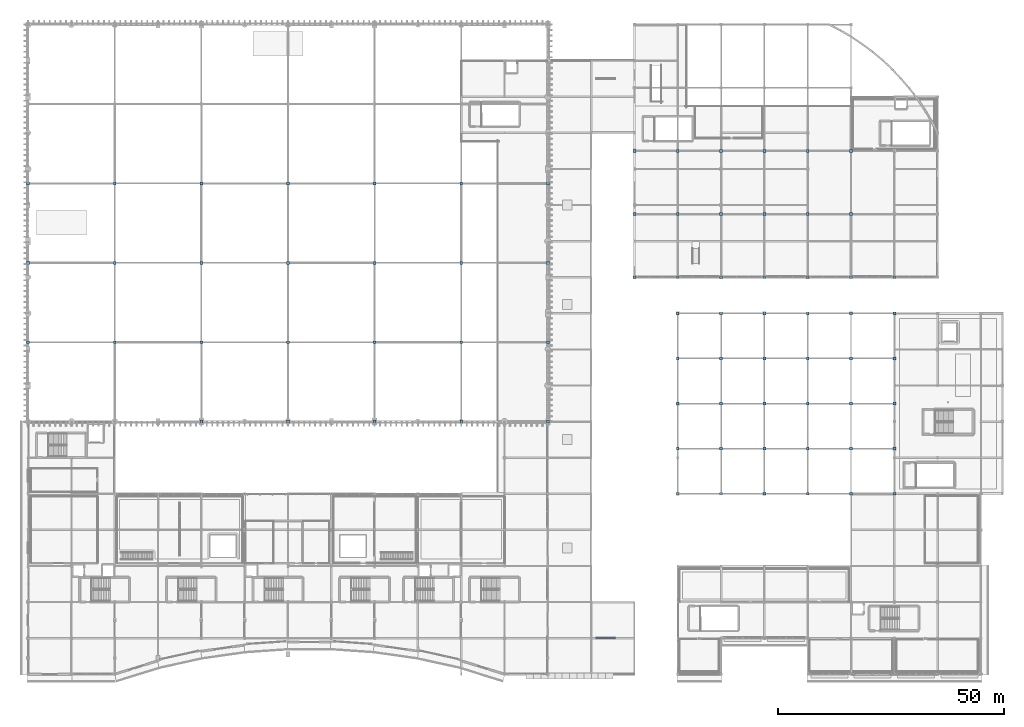
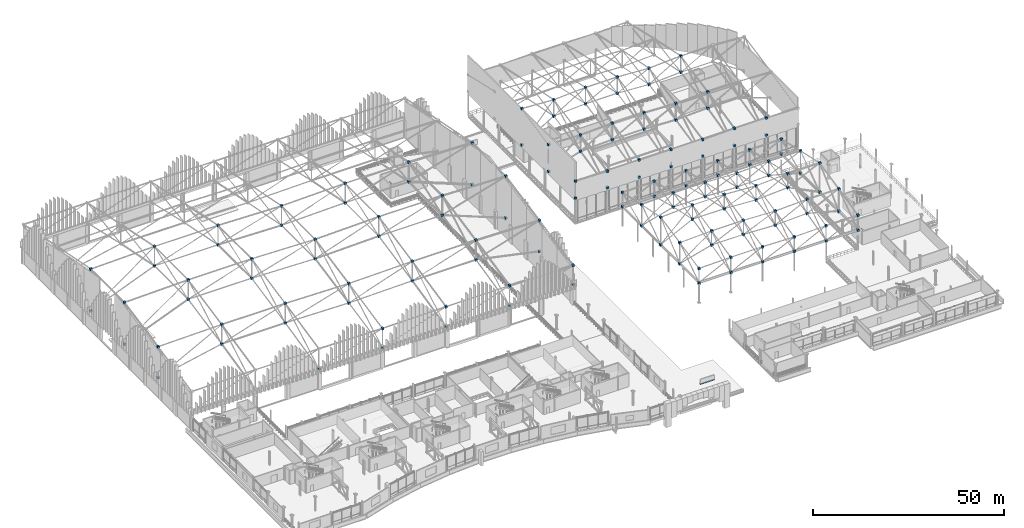
# One storey, part 162 of 193: 150 discrete accessories.
"""IFC4 building model written with IfcOpenShell, lengths in metres."""

from ifc_helpers import new_model, si_unit, direction, frame, origin, origin_2d, place, context, subcontext, project, spatial, rectangle, extrude, material, type_object, element, save


model = new_model("IFC4")

# Units and contexts
model_context = context("Model", 3, precision=1e-05, world=origin(), true_north=direction((0.0, 1.0)))
body_context = subcontext(model_context, "Body", "Model", "MODEL_VIEW")
ifc_project = project(units=[si_unit("LENGTHUNIT", "METRE"), si_unit("AREAUNIT", "SQUARE_METRE"), si_unit("VOLUMEUNIT", "CUBIC_METRE"), si_unit("PLANEANGLEUNIT", "RADIAN"), si_unit("MASSUNIT", "GRAM", prefix="KILO")], contexts=[model_context])

# Site, building, storey
site_placement = place(None, origin())
site = spatial("IfcSite", under=ifc_project, at=site_placement, CompositionType="ELEMENT")
building_placement = place(site_placement, origin())
building = spatial("IfcBuilding", under=site, at=building_placement, Name="Danafjord Basin Convention Centre", CompositionType="ELEMENT")
storey_placement = place(building_placement, frame((0.0, 0.0, 11.39990234375)))
storey = spatial("IfcBuildingStorey", under=building, at=storey_placement, Name="L02", CompositionType="ELEMENT", Elevation=11.39990234375)

# Discrete accessories
ifc_material_1 = material(Name="Stainless steel EN 1.4404", Category="steel")
discrete_accessory_type_1 = type_object("IfcDiscreteAccessoryType", Name="ACC-FIN-BRK", PredefinedType="BRACKET", material=ifc_material_1)
discrete_accessory_placement = place(storey_placement, frame((128.0, 8.0, -0.48974609375), z_axis=(0.0, 0.0, 1.0), x_axis=(1.0, 0.0, 0.0)))
element("IfcDiscreteAccessory", 1, at=discrete_accessory_placement, inside=storey, type_object=discrete_accessory_type_1, Name="Louvre base curb shoe", PredefinedType="BRACKET", context=body_context, shape_type="SweptSolid", body=[
    extrude(rectangle(XDim=4.199951171875, YDim=0.300048828125, at=origin_2d()), origin(), (0.0, 0.0, 1.0), 0.179931640625),
])
ifc_material_2 = material(Name="Steel S355", Category="steel")
discrete_accessory_type_2 = type_object("IfcDiscreteAccessoryType", Name="ACC-SF-HUB", PredefinedType="BRACKET", material=ifc_material_2)
for number, where, z_axis, x_axis, name in (
    (2, (0.0, 73.60009765625, 15.5908203125), (0.0, 0.0, 1.0), (1.0, 0.0, 0.0), "V1 space-frame upper node hub"),
    (3, (0.0, 73.60009765625, 5.72998046875), (0.0, 0.0, 1.0), (1.0, 0.0, 0.0), "V1 space-frame lower node hub"),
    (4, (0.0, 91.199951171875, 19.04052734375), (0.0, 0.0, 1.0), (1.0, 0.0, 0.0), "V1 space-frame upper node hub"),
    (5, (0.0, 91.199951171875, 5.72998046875), (0.0, 0.0, 1.0), (1.0, 0.0, 0.0), "V1 space-frame lower node hub"),
    (6, (0.0, 108.800048828125, 19.04052734375), (0.0, 0.0, 1.0), (1.0, 0.0, 0.0), "V1 space-frame upper node hub"),
    (7, (0.0, 108.800048828125, 5.72998046875), (0.0, 0.0, 1.0), (1.0, 0.0, 0.0), "V1 space-frame lower node hub"),
    (8, (19.199951171875, 73.60009765625, 15.951171875), (0.0, 0.0, 1.0), (1.0, 0.0, 0.0), "V1 space-frame upper node hub"),
    (9, (19.199951171875, 73.60009765625, 9.7509765625), (0.0, 0.0, 1.0), (1.0, 0.0, 0.0), "V1 space-frame lower node hub"),
    (10, (19.199951171875, 91.199951171875, 19.53564453125), (0.0, 0.0, 1.0), (1.0, 0.0, 0.0), "V1 space-frame upper node hub"),
    (11, (19.199951171875, 91.199951171875, 13.33544921875), (0.0, 0.0, 1.0), (1.0, 0.0, 0.0), "V1 space-frame lower node hub"),
    (12, (19.199951171875, 108.800048828125, 19.53564453125), (0.0, 0.0, 1.0), (1.0, 0.0, 0.0), "V1 space-frame upper node hub"),
    (13, (19.199951171875, 108.800048828125, 13.33544921875), (0.0, 0.0, 1.0), (1.0, 0.0, 0.0), "V1 space-frame lower node hub"),
    (14, (38.39990234375, 56.0, 5.72998046875), (0.0, 0.0, 1.0), (1.0, 0.0, 0.0), "V1 space-frame lower node hub"),
    (15, (38.39990234375, 73.60009765625, 15.951171875), (0.0, 0.0, 1.0), (1.0, 0.0, 0.0), "V1 space-frame upper node hub"),
    (16, (38.39990234375, 73.60009765625, 9.7509765625), (0.0, 0.0, 1.0), (1.0, 0.0, 0.0), "V1 space-frame lower node hub"),
    (17, (38.39990234375, 91.199951171875, 19.53564453125), (0.0, 0.0, 1.0), (1.0, 0.0, 0.0), "V1 space-frame upper node hub"),
    (18, (38.39990234375, 91.199951171875, 13.33544921875), (0.0, 0.0, 1.0), (1.0, 0.0, 0.0), "V1 space-frame lower node hub"),
    (19, (38.39990234375, 108.800048828125, 19.53564453125), (0.0, 0.0, 1.0), (1.0, 0.0, 0.0), "V1 space-frame upper node hub"),
    (20, (38.39990234375, 108.800048828125, 13.33544921875), (0.0, 0.0, 1.0), (1.0, 0.0, 0.0), "V1 space-frame lower node hub"),
    (21, (57.60009765625, 56.0, 11.93017578125), (0.0, 0.0, 1.0), (1.0, 0.0, 0.0), "V1 space-frame upper node hub"),
    (22, (57.60009765625, 56.0, 5.72998046875), (0.0, 0.0, 1.0), (1.0, 0.0, 0.0), "V1 space-frame lower node hub"),
    (23, (57.60009765625, 73.60009765625, 15.5908203125), (0.0, 0.0, 1.0), (1.0, 0.0, 0.0), "V1 space-frame upper node hub"),
    (24, (57.60009765625, 73.60009765625, 9.39111328125), (0.0, 0.0, 1.0), (1.0, 0.0, 0.0), "V1 space-frame lower node hub"),
    (25, (57.60009765625, 91.199951171875, 19.04052734375), (0.0, 0.0, 1.0), (1.0, 0.0, 0.0), "V1 space-frame upper node hub"),
    (26, (57.60009765625, 91.199951171875, 12.84033203125), (0.0, 0.0, 1.0), (1.0, 0.0, 0.0), "V1 space-frame lower node hub"),
    (27, (57.60009765625, 108.800048828125, 19.04052734375), (0.0, 0.0, 1.0), (1.0, 0.0, 0.0), "V1 space-frame upper node hub"),
    (28, (57.60009765625, 108.800048828125, 12.84033203125), (0.0, 0.0, 1.0), (1.0, 0.0, 0.0), "V1 space-frame lower node hub"),
    (29, (76.800048828125, 56.0, 12.1552734375), (0.0, 0.0, 1.0), (1.0, 0.0, 0.0), "V1 space-frame upper node hub"),
    (30, (76.800048828125, 56.0, 5.72998046875), (0.0, 0.0, 1.0), (1.0, 0.0, 0.0), "V1 space-frame lower node hub"),
    (31, (76.800048828125, 73.60009765625, 15.951171875), (0.0, 0.0, 1.0), (1.0, 0.0, 0.0), "V1 space-frame upper node hub"),
    (32, (76.800048828125, 73.60009765625, 9.7509765625), (0.0, 0.0, 1.0), (1.0, 0.0, 0.0), "V1 space-frame lower node hub"),
    (33, (76.800048828125, 91.199951171875, 19.53564453125), (0.0, 0.0, 1.0), (1.0, 0.0, 0.0), "V1 space-frame upper node hub"),
    (34, (76.800048828125, 91.199951171875, 13.33544921875), (0.0, 0.0, 1.0), (1.0, 0.0, 0.0), "V1 space-frame lower node hub"),
    (35, (76.800048828125, 108.800048828125, 19.53564453125), (0.0, 0.0, 1.0), (1.0, 0.0, 0.0), "V1 space-frame upper node hub"),
    (36, (76.800048828125, 108.800048828125, 13.33544921875), (0.0, 0.0, 1.0), (1.0, 0.0, 0.0), "V1 space-frame lower node hub"),
    (37, (96.0, 56.0, 12.1552734375), (0.0, 0.0, 1.0), (1.0, 0.0, 0.0), "V1 space-frame upper node hub"),
    (38, (96.0, 56.0, 5.72998046875), (0.0, 0.0, 1.0), (1.0, 0.0, 0.0), "V1 space-frame lower node hub"),
    (39, (96.0, 73.60009765625, 15.951171875), (0.0, 0.0, 1.0), (1.0, 0.0, 0.0), "V1 space-frame upper node hub"),
    (40, (96.0, 73.60009765625, 9.7509765625), (0.0, 0.0, 1.0), (1.0, 0.0, 0.0), "V1 space-frame lower node hub"),
    (41, (96.0, 91.199951171875, 19.53564453125), (0.0, 0.0, 1.0), (1.0, 0.0, 0.0), "V1 space-frame upper node hub"),
    (42, (96.0, 91.199951171875, 13.33544921875), (0.0, 0.0, 1.0), (1.0, 0.0, 0.0), "V1 space-frame lower node hub"),
    (43, (96.0, 108.800048828125, 19.53564453125), (0.0, 0.0, 1.0), (1.0, 0.0, 0.0), "V1 space-frame upper node hub"),
    (44, (96.0, 108.800048828125, 13.33544921875), (0.0, 0.0, 1.0), (1.0, 0.0, 0.0), "V1 space-frame lower node hub"),
    (45, (115.199951171875, 56.0, 11.93017578125), (0.0, 0.0, 1.0), (1.0, 0.0, 0.0), "V1 space-frame upper node hub"),
    (46, (115.199951171875, 56.0, 5.72998046875), (0.0, 0.0, 1.0), (1.0, 0.0, 0.0), "V1 space-frame lower node hub"),
    (47, (115.199951171875, 73.60009765625, 15.5908203125), (0.0, 0.0, 1.0), (1.0, 0.0, 0.0), "V1 space-frame upper node hub"),
    (48, (115.199951171875, 73.60009765625, 5.72998046875), (0.0, 0.0, 1.0), (1.0, 0.0, 0.0), "V1 space-frame lower node hub"),
    (49, (115.199951171875, 91.199951171875, 19.04052734375), (0.0, 0.0, 1.0), (1.0, 0.0, 0.0), "V1 space-frame upper node hub"),
    (50, (115.199951171875, 91.199951171875, 5.72998046875), (0.0, 0.0, 1.0), (1.0, 0.0, 0.0), "V1 space-frame lower node hub"),
    (51, (115.199951171875, 108.800048828125, 19.04052734375), (0.0, 0.0, 1.0), (1.0, 0.0, 0.0), "V1 space-frame upper node hub"),
    (52, (115.199951171875, 108.800048828125, 5.72998046875), (0.0, 0.0, 1.0), (1.0, 0.0, 0.0), "V1 space-frame lower node hub"),
    (53, (134.39990234375, 88.0, 12.75537109375), (0.0, 0.0, 1.0), (1.0, 0.0, 0.0), "V2 space-frame upper node hub"),
    (54, (134.39990234375, 88.0, 7.330078125), (0.0, 0.0, 1.0), (1.0, 0.0, 0.0), "V2 space-frame lower node hub"),
    (55, (134.39990234375, 102.0, 15.93994140625), (0.0, 0.0, 1.0), (1.0, 0.0, 0.0), "V2 space-frame upper node hub"),
    (56, (134.39990234375, 102.0, 7.330078125), (0.0, 0.0, 1.0), (1.0, 0.0, 0.0), "V2 space-frame lower node hub"),
    (57, (134.39990234375, 116.0, 18.892578125), (0.0, 0.0, 1.0), (1.0, 0.0, 0.0), "V2 space-frame upper node hub"),
    (58, (134.39990234375, 116.0, 7.330078125), (0.0, 0.0, 1.0), (1.0, 0.0, 0.0), "V2 space-frame lower node hub"),
    (59, (144.0, 88.0, 12.5302734375), (0.0, 0.0, 1.0), (1.0, 0.0, 0.0), "V2 space-frame upper node hub"),
    (60, (144.0, 88.0, 7.330078125), (0.0, 0.0, 1.0), (1.0, 0.0, 0.0), "V2 space-frame lower node hub"),
    (61, (144.0, 102.0, 15.54638671875), (0.0, 0.0, 1.0), (1.0, 0.0, 0.0), "V2 space-frame upper node hub"),
    (62, (144.0, 102.0, 10.34619140625), (0.0, 0.0, 1.0), (1.0, 0.0, 0.0), "V2 space-frame lower node hub"),
    (63, (144.0, 116.0, 18.330078125), (0.0, 0.0, 1.0), (1.0, 0.0, 0.0), "V2 space-frame upper node hub"),
    (64, (144.0, 116.0, 13.13037109375), (0.0, 0.0, 1.0), (1.0, 0.0, 0.0), "V2 space-frame lower node hub"),
    (65, (153.60009765625, 88.0, 12.75537109375), (0.0, 0.0, 1.0), (1.0, 0.0, 0.0), "V2 space-frame upper node hub"),
    (66, (153.60009765625, 88.0, 7.330078125), (0.0, 0.0, 1.0), (1.0, 0.0, 0.0), "V2 space-frame lower node hub"),
    (67, (153.60009765625, 102.0, 15.93994140625), (0.0, 0.0, 1.0), (1.0, 0.0, 0.0), "V2 space-frame upper node hub"),
    (68, (153.60009765625, 102.0, 10.73974609375), (0.0, 0.0, 1.0), (1.0, 0.0, 0.0), "V2 space-frame lower node hub"),
    (69, (153.60009765625, 116.0, 18.892578125), (0.0, 0.0, 1.0), (1.0, 0.0, 0.0), "V2 space-frame upper node hub"),
    (70, (153.60009765625, 116.0, 13.69287109375), (0.0, 0.0, 1.0), (1.0, 0.0, 0.0), "V2 space-frame lower node hub"),
    (71, (163.199951171875, 88.0, 12.75537109375), (0.0, 0.0, 1.0), (1.0, 0.0, 0.0), "V2 space-frame upper node hub"),
    (72, (163.199951171875, 88.0, 7.330078125), (0.0, 0.0, 1.0), (1.0, 0.0, 0.0), "V2 space-frame lower node hub"),
    (73, (163.199951171875, 102.0, 15.93994140625), (0.0, 0.0, 1.0), (1.0, 0.0, 0.0), "V2 space-frame upper node hub"),
    (74, (163.199951171875, 102.0, 10.73974609375), (0.0, 0.0, 1.0), (1.0, 0.0, 0.0), "V2 space-frame lower node hub"),
    (75, (163.199951171875, 116.0, 18.892578125), (0.0, 0.0, 1.0), (1.0, 0.0, 0.0), "V2 space-frame upper node hub"),
    (76, (163.199951171875, 116.0, 13.69287109375), (0.0, 0.0, 1.0), (1.0, 0.0, 0.0), "V2 space-frame lower node hub"),
    (77, (172.800048828125, 88.0, 12.5302734375), (0.0, 0.0, 1.0), (1.0, 0.0, 0.0), "V2 space-frame upper node hub"),
    (78, (172.800048828125, 88.0, 7.330078125), (0.0, 0.0, 1.0), (1.0, 0.0, 0.0), "V2 space-frame lower node hub"),
    (79, (172.800048828125, 102.0, 15.54638671875), (0.0, 0.0, 1.0), (1.0, 0.0, 0.0), "V2 space-frame upper node hub"),
    (80, (172.800048828125, 102.0, 10.34619140625), (0.0, 0.0, 1.0), (1.0, 0.0, 0.0), "V2 space-frame lower node hub"),
    (81, (172.800048828125, 116.0, 18.330078125), (0.0, 0.0, 1.0), (1.0, 0.0, 0.0), "V2 space-frame upper node hub"),
    (82, (172.800048828125, 116.0, 13.13037109375), (0.0, 0.0, 1.0), (1.0, 0.0, 0.0), "V2 space-frame lower node hub"),
    (83, (182.39990234375, 88.0, 12.75537109375), (0.0, 0.0, 1.0), (1.0, 0.0, 0.0), "V2 space-frame upper node hub"),
    (84, (182.39990234375, 88.0, 7.330078125), (0.0, 0.0, 1.0), (1.0, 0.0, 0.0), "V2 space-frame lower node hub"),
    (85, (182.39990234375, 102.0, 15.93994140625), (0.0, 0.0, 1.0), (1.0, 0.0, 0.0), "V2 space-frame upper node hub"),
    (86, (182.39990234375, 102.0, 10.73974609375), (0.0, 0.0, 1.0), (1.0, 0.0, 0.0), "V2 space-frame lower node hub"),
    (87, (182.39990234375, 116.0, 18.892578125), (0.0, 0.0, 1.0), (1.0, 0.0, 0.0), "V2 space-frame upper node hub"),
    (88, (182.39990234375, 116.0, 13.69287109375), (0.0, 0.0, 1.0), (1.0, 0.0, 0.0), "V2 space-frame lower node hub"),
    (89, (192.0, 88.0, 12.75537109375), (0.0, 0.0, 1.0), (1.0, 0.0, 0.0), "V2 space-frame upper node hub"),
    (90, (192.0, 88.0, 7.330078125), (0.0, 0.0, 1.0), (1.0, 0.0, 0.0), "V2 space-frame lower node hub"),
    (91, (144.0, 40.0, 10.5302734375), (0.0, 0.0, 1.0), (1.0, 0.0, 0.0), "V3 space-frame upper node hub"),
    (92, (144.0, 40.0, 6.0302734375), (0.0, 0.0, 1.0), (1.0, 0.0, 0.0), "V3 space-frame lower node hub"),
    (93, (144.0, 50.0, 12.71435546875), (0.0, 0.0, 1.0), (1.0, 0.0, 0.0), "V3 space-frame upper node hub"),
    (94, (144.0, 50.0, 6.0302734375), (0.0, 0.0, 1.0), (1.0, 0.0, 0.0), "V3 space-frame lower node hub"),
    (95, (144.0, 60.0, 14.72998046875), (0.0, 0.0, 1.0), (1.0, 0.0, 0.0), "V3 space-frame upper node hub"),
    (96, (144.0, 60.0, 6.0302734375), (0.0, 0.0, 1.0), (1.0, 0.0, 0.0), "V3 space-frame lower node hub"),
    (97, (144.0, 70.0, 12.71435546875), (0.0, 0.0, 1.0), (1.0, 0.0, 0.0), "V3 space-frame upper node hub"),
    (98, (144.0, 70.0, 6.0302734375), (0.0, 0.0, 1.0), (1.0, 0.0, 0.0), "V3 space-frame lower node hub"),
    (99, (144.0, 80.0, 10.5302734375), (0.0, 0.0, 1.0), (1.0, 0.0, 0.0), "V3 space-frame upper node hub"),
    (100, (144.0, 80.0, 6.0302734375), (0.0, 0.0, 1.0), (1.0, 0.0, 0.0), "V3 space-frame lower node hub"),
    (101, (153.60009765625, 40.0, 10.75537109375), (0.0, 0.0, 1.0), (1.0, 0.0, 0.0), "V3 space-frame upper node hub"),
    (102, (153.60009765625, 40.0, 6.0302734375), (0.0, 0.0, 1.0), (1.0, 0.0, 0.0), "V3 space-frame lower node hub"),
    (103, (153.60009765625, 50.0, 13.10791015625), (0.0, 0.0, 1.0), (1.0, 0.0, 0.0), "V3 space-frame upper node hub"),
    (104, (153.60009765625, 50.0, 8.60791015625), (0.0, 0.0, 1.0), (1.0, 0.0, 0.0), "V3 space-frame lower node hub"),
    (105, (153.60009765625, 60.0, 15.29248046875), (0.0, 0.0, 1.0), (1.0, 0.0, 0.0), "V3 space-frame upper node hub"),
    (106, (153.60009765625, 60.0, 10.79248046875), (0.0, 0.0, 1.0), (1.0, 0.0, 0.0), "V3 space-frame lower node hub"),
    (107, (153.60009765625, 70.0, 13.10791015625), (0.0, 0.0, 1.0), (1.0, 0.0, 0.0), "V3 space-frame upper node hub"),
    (108, (153.60009765625, 70.0, 8.60791015625), (0.0, 0.0, 1.0), (1.0, 0.0, 0.0), "V3 space-frame lower node hub"),
    (109, (153.60009765625, 80.0, 10.75537109375), (0.0, 0.0, 1.0), (1.0, 0.0, 0.0), "V3 space-frame upper node hub"),
    (110, (153.60009765625, 80.0, 6.0302734375), (0.0, 0.0, 1.0), (1.0, 0.0, 0.0), "V3 space-frame lower node hub"),
    (111, (163.199951171875, 40.0, 10.75537109375), (0.0, 0.0, 1.0), (1.0, 0.0, 0.0), "V3 space-frame upper node hub"),
    (112, (163.199951171875, 40.0, 6.0302734375), (0.0, 0.0, 1.0), (1.0, 0.0, 0.0), "V3 space-frame lower node hub"),
    (113, (163.199951171875, 50.0, 13.10791015625), (0.0, 0.0, 1.0), (1.0, 0.0, 0.0), "V3 space-frame upper node hub"),
    (114, (163.199951171875, 50.0, 8.60791015625), (0.0, 0.0, 1.0), (1.0, 0.0, 0.0), "V3 space-frame lower node hub"),
    (115, (163.199951171875, 60.0, 15.29248046875), (0.0, 0.0, 1.0), (1.0, 0.0, 0.0), "V3 space-frame upper node hub"),
    (116, (163.199951171875, 60.0, 10.79248046875), (0.0, 0.0, 1.0), (1.0, 0.0, 0.0), "V3 space-frame lower node hub"),
    (117, (163.199951171875, 70.0, 13.10791015625), (0.0, 0.0, 1.0), (1.0, 0.0, 0.0), "V3 space-frame upper node hub"),
    (118, (163.199951171875, 70.0, 8.60791015625), (0.0, 0.0, 1.0), (1.0, 0.0, 0.0), "V3 space-frame lower node hub"),
    (119, (163.199951171875, 80.0, 10.75537109375), (0.0, 0.0, 1.0), (1.0, 0.0, 0.0), "V3 space-frame upper node hub"),
    (120, (163.199951171875, 80.0, 6.0302734375), (0.0, 0.0, 1.0), (1.0, 0.0, 0.0), "V3 space-frame lower node hub"),
    (121, (172.800048828125, 40.0, 10.5302734375), (0.0, 0.0, 1.0), (1.0, 0.0, 0.0), "V3 space-frame upper node hub"),
    (122, (172.800048828125, 40.0, 6.0302734375), (0.0, 0.0, 1.0), (1.0, 0.0, 0.0), "V3 space-frame lower node hub"),
    (123, (172.800048828125, 50.0, 12.71435546875), (0.0, 0.0, 1.0), (1.0, 0.0, 0.0), "V3 space-frame upper node hub"),
    (124, (172.800048828125, 50.0, 8.21435546875), (0.0, 0.0, 1.0), (1.0, 0.0, 0.0), "V3 space-frame lower node hub"),
    (125, (172.800048828125, 60.0, 14.72998046875), (0.0, 0.0, 1.0), (1.0, 0.0, 0.0), "V3 space-frame upper node hub"),
    (126, (172.800048828125, 60.0, 10.22998046875), (0.0, 0.0, 1.0), (1.0, 0.0, 0.0), "V3 space-frame lower node hub"),
    (127, (172.800048828125, 70.0, 12.71435546875), (0.0, 0.0, 1.0), (1.0, 0.0, 0.0), "V3 space-frame upper node hub"),
    (128, (172.800048828125, 70.0, 8.21435546875), (0.0, 0.0, 1.0), (1.0, 0.0, 0.0), "V3 space-frame lower node hub"),
    (129, (172.800048828125, 80.0, 10.5302734375), (0.0, 0.0, 1.0), (1.0, 0.0, 0.0), "V3 space-frame upper node hub"),
    (130, (172.800048828125, 80.0, 6.0302734375), (0.0, 0.0, 1.0), (1.0, 0.0, 0.0), "V3 space-frame lower node hub"),
    (131, (182.39990234375, 40.0, 10.75537109375), (0.0, 0.0, 1.0), (1.0, 0.0, 0.0), "V3 space-frame upper node hub"),
    (132, (182.39990234375, 40.0, 6.0302734375), (0.0, 0.0, 1.0), (1.0, 0.0, 0.0), "V3 space-frame lower node hub"),
    (133, (182.39990234375, 50.0, 13.10791015625), (0.0, 0.0, 1.0), (1.0, 0.0, 0.0), "V3 space-frame upper node hub"),
    (134, (182.39990234375, 50.0, 8.60791015625), (0.0, 0.0, 1.0), (1.0, 0.0, 0.0), "V3 space-frame lower node hub"),
    (135, (182.39990234375, 60.0, 15.29248046875), (0.0, 0.0, 1.0), (1.0, 0.0, 0.0), "V3 space-frame upper node hub"),
    (136, (182.39990234375, 60.0, 10.79248046875), (0.0, 0.0, 1.0), (1.0, 0.0, 0.0), "V3 space-frame lower node hub"),
    (137, (182.39990234375, 70.0, 13.10791015625), (0.0, 0.0, 1.0), (1.0, 0.0, 0.0), "V3 space-frame upper node hub"),
    (138, (182.39990234375, 70.0, 8.60791015625), (0.0, 0.0, 1.0), (1.0, 0.0, 0.0), "V3 space-frame lower node hub"),
    (139, (182.39990234375, 80.0, 10.75537109375), (0.0, 0.0, 1.0), (1.0, 0.0, 0.0), "V3 space-frame upper node hub"),
    (140, (182.39990234375, 80.0, 6.0302734375), (0.0, 0.0, 1.0), (1.0, 0.0, 0.0), "V3 space-frame lower node hub"),
    (141, (192.0, 40.0, 10.75537109375), (0.0, 0.0, 1.0), (1.0, 0.0, 0.0), "V3 space-frame upper node hub"),
    (142, (192.0, 40.0, 6.0302734375), (0.0, 0.0, 1.0), (1.0, 0.0, 0.0), "V3 space-frame lower node hub"),
    (143, (192.0, 50.0, 13.10791015625), (0.0, 0.0, 1.0), (1.0, 0.0, 0.0), "V3 space-frame upper node hub"),
    (144, (192.0, 50.0, 6.0302734375), (0.0, 0.0, 1.0), (1.0, 0.0, 0.0), "V3 space-frame lower node hub"),
    (145, (192.0, 60.0, 15.29248046875), (0.0, 0.0, 1.0), (1.0, 0.0, 0.0), "V3 space-frame upper node hub"),
    (146, (192.0, 60.0, 6.0302734375), (0.0, 0.0, 1.0), (1.0, 0.0, 0.0), "V3 space-frame lower node hub"),
    (147, (192.0, 70.0, 13.10791015625), (0.0, 0.0, 1.0), (1.0, 0.0, 0.0), "V3 space-frame upper node hub"),
    (148, (192.0, 70.0, 6.0302734375), (0.0, 0.0, 1.0), (1.0, 0.0, 0.0), "V3 space-frame lower node hub"),
    (149, (192.0, 80.0, 10.75537109375), (0.0, 0.0, 1.0), (1.0, 0.0, 0.0), "V3 space-frame upper node hub"),
    (150, (192.0, 80.0, 6.0302734375), (0.0, 0.0, 1.0), (1.0, 0.0, 0.0), "V3 space-frame lower node hub"),
):
    element("IfcDiscreteAccessory", number, at=place(storey_placement, frame(where, z_axis=z_axis, x_axis=x_axis)), inside=storey, type_object=discrete_accessory_type_2, Name=name, PredefinedType="BRACKET", context=body_context, shape_type="SweptSolid", body=[
        extrude(rectangle(XDim=0.639892578125, YDim=0.639892578125, at=origin_2d()), origin(), (0.0, 0.0, 1.0), 0.639892578125),
    ])

save(model, "model.ifc")
